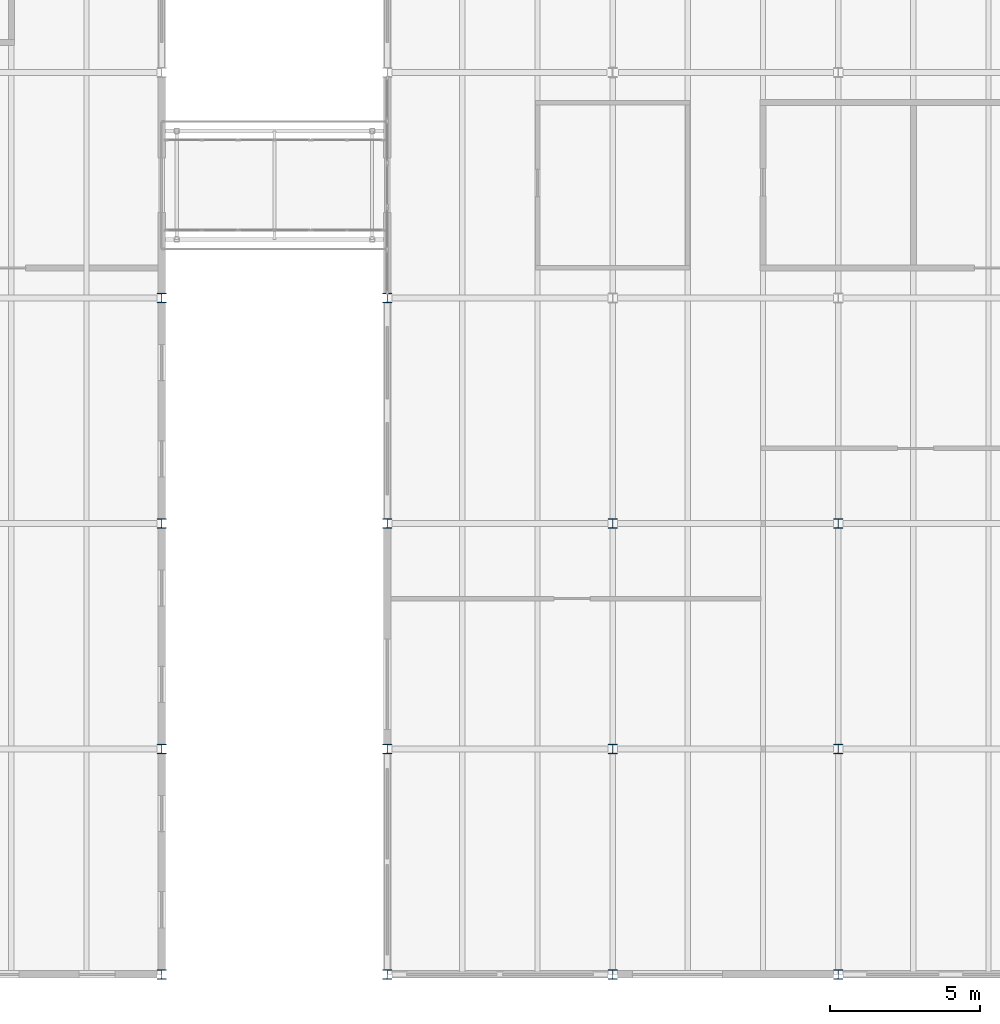
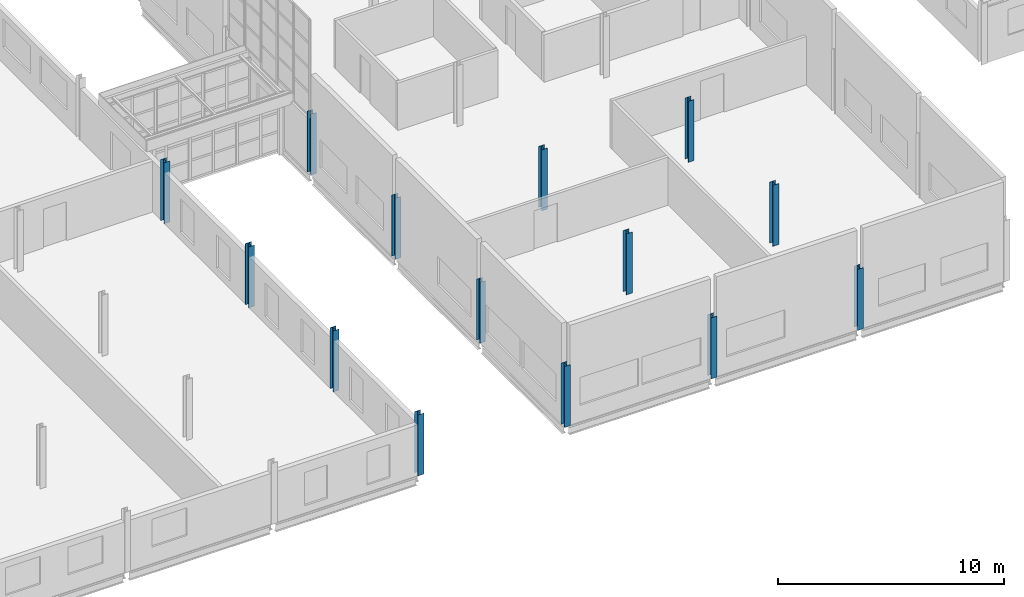
# One storey, part 13 of 198: 14 columns.
"""IFC4 building model written with IfcOpenShell, lengths in metres."""

from ifc_helpers import new_model, si_unit, direction, frame, origin, origin_2d, place, context, subcontext, project, spatial, i_section, extrude, material, material_profile, profile_set, type_object, element, save


model = new_model("IFC4")

# Units and contexts
model_context = context("Model", 3, precision=1e-05, world=origin(), true_north=direction((0.0, 1.0)))
body_context = subcontext(model_context, "Body", "Model", "MODEL_VIEW")
ifc_project = project(units=[si_unit("LENGTHUNIT", "METRE"), si_unit("AREAUNIT", "SQUARE_METRE"), si_unit("VOLUMEUNIT", "CUBIC_METRE"), si_unit("PLANEANGLEUNIT", "RADIAN"), si_unit("MASSUNIT", "GRAM", prefix="KILO")], contexts=[model_context])

# Site, building, storey
site_placement = place(None, origin())
site = spatial("IfcSite", under=ifc_project, at=site_placement, CompositionType="ELEMENT")
building_placement = place(site_placement, origin())
building = spatial("IfcBuilding", under=site, at=building_placement, Name="Parallax Yard Mobility Hub", CompositionType="ELEMENT")
storey_placement = place(building_placement, frame((0.0, 0.0, 6.60009765625)))
storey = spatial("IfcBuildingStorey", under=building, at=storey_placement, Name="L02", CompositionType="ELEMENT", Elevation=6.60009765625)

# Columns
ifc_material = material(Name="Steel ASTM A992", Category="steel")
ifc_material_profile = material_profile(ifc_material, i_section(OverallWidth=0.304931640625, OverallDepth=0.306884765625, WebThickness=0.010009765625, FlangeThickness=0.015380859375, FilletRadius=0.01513671875, at=origin_2d()), Name="W310x97")
ifc_profile_set = profile_set([ifc_material_profile], Name="Steel ASTM A992")
column_type = type_object("IfcColumnType", Name="W310x97 column", PredefinedType="COLUMN", material=ifc_profile_set)
for number, where, z_axis, x_axis, name in (
    (1, (150.0, 7.5, 0.0), (0.0, 0.0, 1.0), (1.0, 0.0, 0.0), "Column C1 level L02 at B/21 of bicycle and shared-mobility hall"),
    (2, (150.0, 15.0, 0.0), (0.0, 0.0, 1.0), (1.0, 0.0, 0.0), "Column C1 level L02 at C/21 of bicycle and shared-mobility hall"),
    (3, (150.0, 22.5, 0.0), (0.0, 0.0, 1.0), (1.0, 0.0, 0.0), "Column C1 level L02 at D/21 of bicycle and shared-mobility hall"),
    (4, (150.0, 30.0, 0.0), (0.0, 0.0, 1.0), (1.0, 0.0, 0.0), "Column C1 level L02 at E/21 of bicycle and shared-mobility hall"),
    (5, (157.5, 7.5, 0.0), (0.0, 0.0, 1.0), (1.0, 0.0, 0.0), "Column C1 level L02 at B/22 of bicycle and shared-mobility hall"),
    (6, (157.5, 15.0, 0.0), (0.0, 0.0, 1.0), (1.0, 0.0, 0.0), "Column C1 level L02 at C/22 of bicycle and shared-mobility hall"),
    (7, (157.5, 22.5, 0.0), (0.0, 0.0, 1.0), (1.0, 0.0, 0.0), "Column C1 level L02 at D/22 of bicycle and shared-mobility hall"),
    (8, (165.0, 7.5, 0.0), (0.0, 0.0, 1.0), (1.0, 0.0, 0.0), "Column C1 level L02 at B/23 of bicycle and shared-mobility hall"),
    (9, (165.0, 15.0, 0.0), (0.0, 0.0, 1.0), (1.0, 0.0, 0.0), "Column C1 level L02 at C/23 of bicycle and shared-mobility hall"),
    (10, (165.0, 22.5, 0.0), (0.0, 0.0, 1.0), (1.0, 0.0, 0.0), "Column C1 level L02 at D/23 of bicycle and shared-mobility hall"),
    (11, (142.5, 7.5, 0.0), (0.0, 0.0, 1.0), (1.0, 0.0, 0.0), "Column C1 level L02 at B/20 of mobility service centre and workshops"),
    (12, (142.5, 15.0, 0.0), (0.0, 0.0, 1.0), (1.0, 0.0, 0.0), "Column C1 level L02 at C/20 of mobility service centre and workshops"),
    (13, (142.5, 22.5, 0.0), (0.0, 0.0, 1.0), (1.0, 0.0, 0.0), "Column C1 level L02 at D/20 of mobility service centre and workshops"),
    (14, (142.5, 30.0, 0.0), (0.0, 0.0, 1.0), (1.0, 0.0, 0.0), "Column C1 level L02 at E/20 of mobility service centre and workshops"),
):
    element("IfcColumn", number, at=place(storey_placement, frame(where, z_axis=z_axis, x_axis=x_axis)), inside=storey, type_object=column_type, Name=name, PredefinedType="COLUMN", context=body_context, shape_type="SweptSolid", body=[
        extrude(i_section(OverallWidth=0.304931640625, OverallDepth=0.306884765625, WebThickness=0.010009765625, FlangeThickness=0.015380859375, FilletRadius=0.01513671875, at=origin_2d()), origin(), (0.0, 0.0, 1.0), 3.2998046875),
    ])

save(model, "model.ifc")
